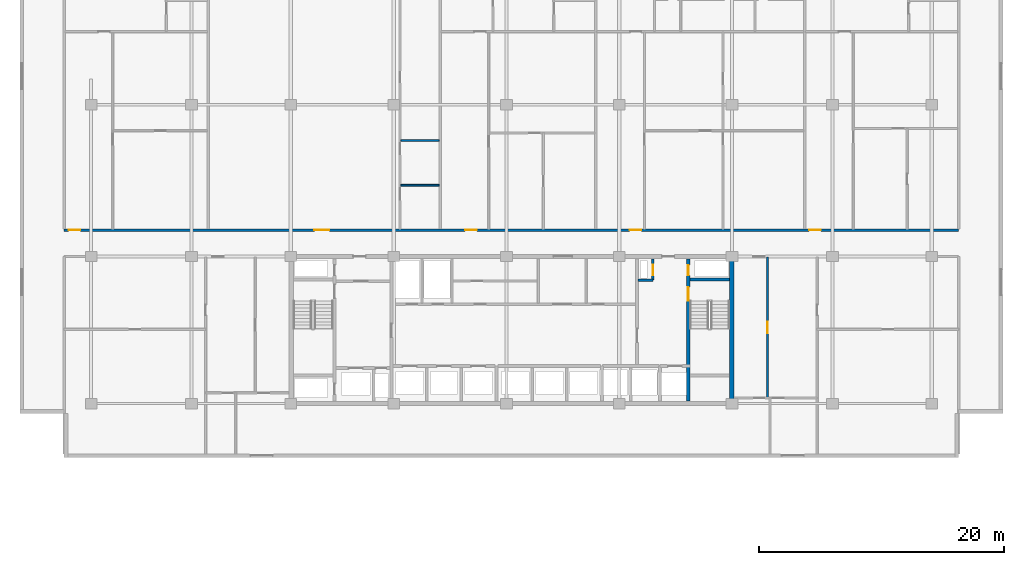
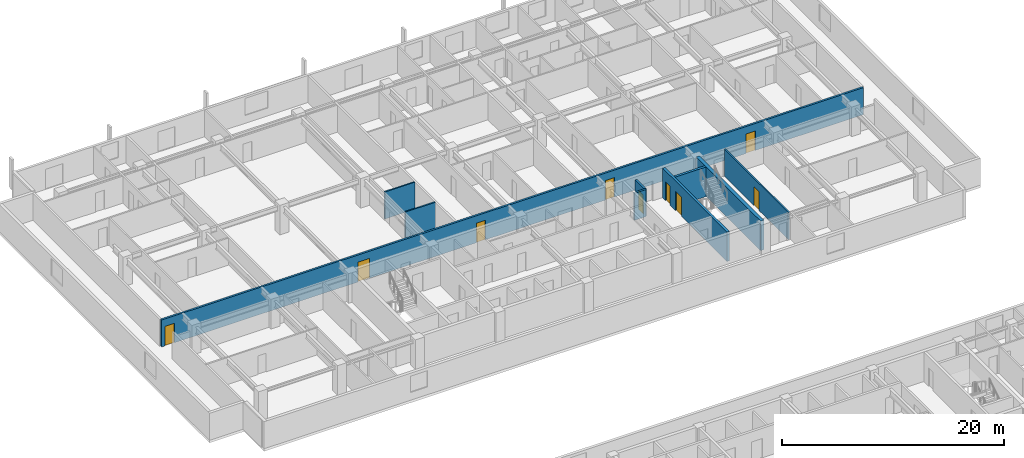
# One storey, part 13 of 22: 9 doors, 9 walls, 9 openings.
"""IFC4 building model written with IfcOpenShell, lengths in metres."""

from ifc_helpers import new_model, si_unit, direction, frame, frame_2d, origin, place, context, subcontext, project, spatial, rectangle, extrude, material, layer, layer_set, type_object, element, fill, save


model = new_model("IFC4")

# Units and contexts
model_context = context("Model", 3, precision=1e-05, world=origin(), true_north=direction((0.0, 1.0)))
body_context = subcontext(model_context, "Body", "Model", "MODEL_VIEW")
ifc_project = project(units=[si_unit("LENGTHUNIT", "METRE"), si_unit("AREAUNIT", "SQUARE_METRE"), si_unit("VOLUMEUNIT", "CUBIC_METRE"), si_unit("PLANEANGLEUNIT", "RADIAN"), si_unit("MASSUNIT", "GRAM", prefix="KILO")], contexts=[model_context])

# Site, building, storey
site_placement = place(None, origin())
site = spatial("IfcSite", under=ifc_project, at=site_placement, CompositionType="ELEMENT")
building_placement = place(site_placement, origin())
building = spatial("IfcBuilding", under=site, at=building_placement, Name="Korimba Cascade Residences", CompositionType="ELEMENT")
storey_placement = place(building_placement, frame((0.0, 0.0, 84.050048828125)))
storey = spatial("IfcBuildingStorey", under=building, at=storey_placement, Name="L23", CompositionType="ELEMENT", Elevation=84.050048828125)

# Wall
ifc_material_1 = material(Name="Concrete C65/80", Category="concrete")
ifc_layer_1 = layer(ifc_material_1, 0.35009765625)
ifc_layer_set_1 = layer_set([ifc_layer_1], Name="Concrete C65/80")
wall_type_1 = type_object("IfcWallType", Name="WAL-CORE-350", PredefinedType="SHEAR", material=ifc_layer_set_1)
wall_1_placement = place(storey_placement, frame((112.074951171875, 55.375, 0.0), z_axis=(0.0, 0.0, 1.0), x_axis=(0.0, 1.0, 0.0)))
element("IfcWall", 1, at=wall_1_placement, inside=storey, type_object=wall_type_1, Name="L23 Core Shear Wall CW-L23-T1-E", PredefinedType="SHEAR", context=body_context, shape_type="SweptSolid", body=[
    extrude(rectangle(XDim=11.64990234375, YDim=0.35009765625, at=frame_2d((5.824951171875, 0.0))), origin(), (0.0, 0.0, 1.0), 3.25),
])

# Wall, openings, doors
ifc_material_2 = material(Name="Precast concrete C40/50", Category="concrete")
ifc_layer_2 = layer(ifc_material_2, 0.199951171875)
ifc_layer_set_2 = layer_set([ifc_layer_2], Name="Precast concrete C40/50")
wall_type_2 = type_object("IfcWallType", Name="WAL-IT-200", PredefinedType="PARTITIONING", material=ifc_layer_set_2)
wall_2_placement = place(storey_placement, frame((57.60009765625, 69.35009765625, 0.0), z_axis=(0.0, 0.0, 1.0), x_axis=(1.0, 0.0, 0.0)))
wall_2 = element("IfcWall", 2, at=wall_2_placement, inside=storey, type_object=wall_type_2, Name="L23 Partition Wall WAL-L23-T1-CORN", PredefinedType="PARTITIONING", context=body_context, shape_type="SweptSolid", body=[
    extrude(rectangle(XDim=73.0, YDim=0.199951171875, at=frame_2d((36.5, 0.0))), origin(), (0.0, 0.0, 1.0), 2.969970703125),
])
opening_1_placement = place(wall_2_placement, frame((0.3701171875, 0.0, 0.0)))
opening_1 = element("IfcOpeningElement", 3, at=opening_1_placement, cuts=wall_2, Name="Opening D-UN1", PredefinedType="OPENING", context=body_context, shape_type="SweptSolid", body=[
    extrude(rectangle(XDim=0.949951171875, YDim=2.14990234375, at=frame_2d((0.47509765625, 1.074951171875))), frame((0.0, 0.10986328125, 0.0), z_axis=(0.0, -1.0, 0.0), x_axis=(1.0, 0.0, 0.0)), (0.0, 0.0, 1.0), 0.219970703125),
])
opening_2_placement = place(wall_2_placement, frame((20.42138671875, 0.0, 0.0)))
opening_2 = element("IfcOpeningElement", 4, at=opening_2_placement, cuts=wall_2, Name="Opening D-AM1", PredefinedType="OPENING", context=body_context, shape_type="SweptSolid", body=[
    extrude(rectangle(XDim=1.219970703125, YDim=2.179931640625, at=frame_2d((0.60986328125, 1.08984375))), frame((0.0, 0.10986328125, 0.0), z_axis=(0.0, -1.0, 0.0), x_axis=(1.0, 0.0, 0.0)), (0.0, 0.0, 1.0), 0.219970703125),
])
opening_3_placement = place(wall_2_placement, frame((32.7294921875, 0.0, 0.0)))
opening_3 = element("IfcOpeningElement", 5, at=opening_3_placement, cuts=wall_2, Name="Opening D-UN1", PredefinedType="OPENING", context=body_context, shape_type="SweptSolid", body=[
    extrude(rectangle(XDim=0.949951171875, YDim=2.14990234375, at=frame_2d((0.47509765625, 1.074951171875))), frame((0.0, 0.10986328125, 0.0), z_axis=(0.0, -1.0, 0.0), x_axis=(1.0, 0.0, 0.0)), (0.0, 0.0, 1.0), 0.219970703125),
])
opening_4_placement = place(wall_2_placement, frame((46.1572265625, 0.0, 0.0)))
opening_4 = element("IfcOpeningElement", 6, at=opening_4_placement, cuts=wall_2, Name="Opening D-UN1", PredefinedType="OPENING", context=body_context, shape_type="SweptSolid", body=[
    extrude(rectangle(XDim=0.949951171875, YDim=2.14990234375, at=frame_2d((0.47509765625, 1.074951171875))), frame((0.0, 0.10986328125, 0.0), z_axis=(0.0, -1.0, 0.0), x_axis=(1.0, 0.0, 0.0)), (0.0, 0.0, 1.0), 0.219970703125),
])
opening_5_placement = place(wall_2_placement, frame((60.803466796875, 0.0, 0.0)))
opening_5 = element("IfcOpeningElement", 7, at=opening_5_placement, cuts=wall_2, Name="Opening D-UN1", PredefinedType="OPENING", context=body_context, shape_type="SweptSolid", body=[
    extrude(rectangle(XDim=0.949951171875, YDim=2.14990234375, at=frame_2d((0.47509765625, 1.074951171875))), frame((0.0, 0.10986328125, 0.0), z_axis=(0.0, -1.0, 0.0), x_axis=(1.0, 0.0, 0.0)), (0.0, 0.0, 1.0), 0.219970703125),
])
ifc_material_3 = material(Name="Fire-Rated Glazed Timber Suite Door", Category="wood")
door_type_1 = type_object("IfcDoorType", Name="DR-FD60-1200", OperationType="NOTDEFINED", PredefinedType="DOOR", material=ifc_material_3)
door_1_placement = place(opening_2_placement, origin())
door_1 = element("IfcDoor", 8, at=door_1_placement, inside=storey, type_object=door_type_1, Name="L23-T1-U02 Promenade Design Showroom Door", OperationType="SINGLE_SWING_LEFT", OverallHeight=2.179931640625, OverallWidth=1.219970703125, PredefinedType="DOOR", context=body_context, shape_type="SweptSolid", body=[
    extrude(rectangle(XDim=1.219970703125, YDim=2.179931640625, at=frame_2d((0.60986328125, 1.08984375))), frame((0.0, 0.02490234375, 0.0), z_axis=(0.0, -1.0, 0.0), x_axis=(1.0, 0.0, 0.0)), (0.0, 0.0, 1.0), 0.050048828125),
])
fill(opening_2, door_1)
ifc_material_4 = material(Name="Fire-Rated Hardwood Apartment Entrance Door", Category="wood")
door_type_2 = type_object("IfcDoorType", Name="DR-FD60-950", OperationType="NOTDEFINED", PredefinedType="DOOR", material=ifc_material_4)
door_2_placement = place(opening_1_placement, origin())
door_2 = element("IfcDoor", 9, at=door_2_placement, inside=storey, type_object=door_type_2, Name="Unit L23-T1-U01 Entrance Door", OperationType="SINGLE_SWING_RIGHT", OverallHeight=2.14990234375, OverallWidth=0.949951171875, PredefinedType="DOOR", context=body_context, shape_type="SweptSolid", body=[
    extrude(rectangle(XDim=0.949951171875, YDim=2.14990234375, at=frame_2d((0.47509765625, 1.074951171875))), frame((0.0, 0.02490234375, 0.0), z_axis=(0.0, -1.0, 0.0), x_axis=(1.0, 0.0, 0.0)), (0.0, 0.0, 1.0), 0.050048828125),
])
fill(opening_1, door_2)
door_3_placement = place(opening_3_placement, origin())
door_3 = element("IfcDoor", 10, at=door_3_placement, inside=storey, type_object=door_type_2, Name="Unit L23-T1-U03 Entrance Door", OperationType="SINGLE_SWING_RIGHT", OverallHeight=2.14990234375, OverallWidth=0.949951171875, PredefinedType="DOOR", context=body_context, shape_type="SweptSolid", body=[
    extrude(rectangle(XDim=0.949951171875, YDim=2.14990234375, at=frame_2d((0.47509765625, 1.074951171875))), frame((0.0, 0.02490234375, 0.0), z_axis=(0.0, -1.0, 0.0), x_axis=(1.0, 0.0, 0.0)), (0.0, 0.0, 1.0), 0.050048828125),
])
fill(opening_3, door_3)
door_4_placement = place(opening_4_placement, origin())
door_4 = element("IfcDoor", 11, at=door_4_placement, inside=storey, type_object=door_type_2, Name="Unit L23-T1-U04 Entrance Door", OperationType="SINGLE_SWING_LEFT", OverallHeight=2.14990234375, OverallWidth=0.949951171875, PredefinedType="DOOR", context=body_context, shape_type="SweptSolid", body=[
    extrude(rectangle(XDim=0.949951171875, YDim=2.14990234375, at=frame_2d((0.47509765625, 1.074951171875))), frame((0.0, 0.02490234375, 0.0), z_axis=(0.0, -1.0, 0.0), x_axis=(1.0, 0.0, 0.0)), (0.0, 0.0, 1.0), 0.050048828125),
])
fill(opening_4, door_4)
door_5_placement = place(opening_5_placement, origin())
door_5 = element("IfcDoor", 12, at=door_5_placement, inside=storey, type_object=door_type_2, Name="Unit L23-T1-U05 Entrance Door", OperationType="SINGLE_SWING_RIGHT", OverallHeight=2.14990234375, OverallWidth=0.949951171875, PredefinedType="DOOR", context=body_context, shape_type="SweptSolid", body=[
    extrude(rectangle(XDim=0.949951171875, YDim=2.14990234375, at=frame_2d((0.47509765625, 1.074951171875))), frame((0.0, 0.02490234375, 0.0), z_axis=(0.0, -1.0, 0.0), x_axis=(1.0, 0.0, 0.0)), (0.0, 0.0, 1.0), 0.050048828125),
])
fill(opening_5, door_5)

# Wall, opening, door
ifc_material_5 = material(Name="Insulated Acoustic Stud Partition", Category="gypsum")
ifc_layer_3 = layer(ifc_material_5, 0.14990234375)
ifc_layer_set_3 = layer_set([ifc_layer_3], Name="Insulated Acoustic Stud Partition")
wall_type_3 = type_object("IfcWallType", Name="WAL-PART-150", PredefinedType="PARTITIONING", material=ifc_layer_set_3)
wall_3_placement = place(storey_placement, frame((115.0, 55.64990234375, 0.0), z_axis=(0.0, 0.0, 1.0), x_axis=(0.0, 1.0, 0.0)))
wall_3 = element("IfcWall", 13, at=wall_3_placement, inside=storey, type_object=wall_type_3, Name="L23 Partition Wall WAL-L23-T1-FE-VN", PredefinedType="PARTITIONING", context=body_context, shape_type="SweptSolid", body=[
    extrude(rectangle(XDim=11.5, YDim=0.14990234375, at=frame_2d((5.75, 0.0))), origin(), (0.0, 0.0, 1.0), 2.969970703125),
])
opening_6_placement = place(wall_3_placement, frame((5.2900390625, 0.0, 0.0)))
opening_6 = element("IfcOpeningElement", 14, at=opening_6_placement, cuts=wall_3, Name="Opening D-IN1", PredefinedType="OPENING", context=body_context, shape_type="SweptSolid", body=[
    extrude(rectangle(XDim=0.919921875, YDim=2.080078125, at=frame_2d((0.4599609375, 1.0400390625))), frame((0.0, 0.0849609375, 0.0), z_axis=(0.0, -1.0, 0.0), x_axis=(1.0, 0.0, 0.0)), (0.0, 0.0, 1.0), 0.169921875),
])
ifc_material_6 = material(Name="Acoustic Timber Living Door", Category="wood")
door_type_3 = type_object("IfcDoorType", Name="DR-INT-920", OperationType="NOTDEFINED", PredefinedType="DOOR", material=ifc_material_6)
door_6_placement = place(opening_6_placement, origin())
door_6 = element("IfcDoor", 15, at=door_6_placement, inside=storey, type_object=door_type_3, Name="L23-T1-FE Living Door", OperationType="SINGLE_SWING_RIGHT", OverallHeight=2.080078125, OverallWidth=0.919921875, PredefinedType="DOOR", context=body_context, shape_type="SweptSolid", body=[
    extrude(rectangle(XDim=0.919921875, YDim=2.080078125, at=frame_2d((0.4599609375, 1.0400390625))), frame((0.0, 0.02490234375, 0.0), z_axis=(0.0, -1.0, 0.0), x_axis=(1.0, 0.0, 0.0)), (0.0, 0.0, 1.0), 0.050048828125),
])
fill(opening_6, door_6)

# Walls
for number, where, z_axis, x_axis, name in (
    (16, (85.07470703125, 73.02001953125, 0.0), (0.0, 0.0, 1.0), (1.0, 0.0, 0.0), "L23 Partition Wall WAL-L23-T1-U02-WCH"),
    (17, (85.07470703125, 76.669921875, 0.0), (0.0, 0.0, 1.0), (1.0, 0.0, 0.0), "L23 Partition Wall WAL-L23-T1-U02-WCH2"),
):
    element("IfcWall", number, at=place(storey_placement, frame(where, z_axis=z_axis, x_axis=x_axis)), inside=storey, type_object=wall_type_3, Name=name, PredefinedType="PARTITIONING", context=body_context, shape_type="SweptSolid", body=[
        extrude(rectangle(XDim=3.1298828125, YDim=0.14990234375, at=frame_2d((1.56494140625, 0.0))), origin(), (0.0, 0.0, 1.0), 2.969970703125),
    ])
ifc_material_7 = material(Name="Concrete C40/50", Category="concrete")
ifc_layer_4 = layer(ifc_material_7, 0.199951171875)
ifc_layer_set_4 = layer_set([ifc_layer_4], Name="Concrete C40/50")
wall_type_4 = type_object("IfcWallType", Name="WAL-PART-200", PredefinedType="PARTITIONING", material=ifc_layer_set_4)
wall_4_placement = place(storey_placement, frame((104.449951171875, 65.280029296875, 0.0), z_axis=(0.0, 0.0, 1.0), x_axis=(1.0, 0.0, 0.0)))
element("IfcWall", 18, at=wall_4_placement, inside=storey, type_object=wall_type_4, Name="L23 Partition Wall CW-L23-T1-HYDW2S", PredefinedType="PARTITIONING", context=body_context, shape_type="SweptSolid", body=[
    extrude(rectangle(XDim=1.199951171875, YDim=0.199951171875, at=frame_2d((0.60009765625, 0.0))), origin(), (0.0, 0.0, 1.0), 2.969970703125),
])

# Wall, opening, door
wall_5_placement = place(storey_placement, frame((105.64990234375, 65.280029296875, 0.0), z_axis=(0.0, 0.0, 1.0), x_axis=(0.0, 1.0, 0.0)))
wall_5 = element("IfcWall", 19, at=wall_5_placement, inside=storey, type_object=wall_type_4, Name="L23 Partition Wall CW-L23-T1-HYDW2E", PredefinedType="PARTITIONING", context=body_context, shape_type="SweptSolid", body=[
    extrude(rectangle(XDim=1.719970703125, YDim=0.199951171875, at=frame_2d((0.85986328125, 0.0))), origin(), (0.0, 0.0, 1.0), 2.969970703125),
])
opening_7_placement = place(wall_5_placement, frame((0.39990234375, 0.0, 0.0)))
opening_7 = element("IfcOpeningElement", 20, at=opening_7_placement, cuts=wall_5, Name="Opening D-RS1", PredefinedType="OPENING", context=body_context, shape_type="SweptSolid", body=[
    extrude(rectangle(XDim=0.85009765625, YDim=2.050048828125, at=frame_2d((0.425048828125, 1.02490234375))), frame((0.0, 0.10986328125, 0.0), z_axis=(0.0, -1.0, 0.0), x_axis=(1.0, 0.0, 0.0)), (0.0, 0.0, 1.0), 0.219970703125),
])
ifc_material_8 = material(Name="Fire-Rated Steel Riser Access Door", Category="steel")
door_type_4 = type_object("IfcDoorType", Name="DR-FD60-850", OperationType="NOTDEFINED", PredefinedType="DOOR", material=ifc_material_8)
door_7_placement = place(opening_7_placement, origin())
door_7 = element("IfcDoor", 21, at=door_7_placement, inside=storey, type_object=door_type_4, Name="L23 East Hydrant Door", OperationType="SINGLE_SWING_RIGHT", OverallHeight=2.050048828125, OverallWidth=0.85009765625, PredefinedType="DOOR", context=body_context, shape_type="SweptSolid", body=[
    extrude(rectangle(XDim=0.85009765625, YDim=2.050048828125, at=frame_2d((0.425048828125, 1.02490234375))), frame((0.0, 0.02490234375, 0.0), z_axis=(0.0, -1.0, 0.0), x_axis=(1.0, 0.0, 0.0)), (0.0, 0.0, 1.0), 0.050048828125),
])
fill(opening_7, door_7)

# Wall, openings, doors
ifc_material_9 = material(Name="Concrete C50/60", Category="concrete")
ifc_layer_5 = layer(ifc_material_9, 0.25)
ifc_layer_set_5 = layer_set([ifc_layer_5], Name="Concrete C50/60")
wall_type_5 = type_object("IfcWallType", Name="WAL-SHAFT-250", PredefinedType="SHEAR", material=ifc_layer_set_5)
wall_6_placement = place(storey_placement, frame((108.534912109375, 55.39990234375, 0.0), z_axis=(0.0, 0.0, 1.0), x_axis=(0.0, 1.0, 0.0)))
wall_6 = element("IfcWall", 22, at=wall_6_placement, inside=storey, type_object=wall_type_5, Name="L23 Core Shear Wall CW-L23-T1-STW2W", PredefinedType="SHEAR", context=body_context, shape_type="SweptSolid", body=[
    extrude(rectangle(XDim=11.60009765625, YDim=0.25, at=frame_2d((5.800048828125, 0.0))), origin(), (0.0, 0.0, 1.0), 3.25),
])
opening_8_placement = place(wall_6_placement, frame((8.199951171875, 0.0, 0.0)))
opening_8 = element("IfcOpeningElement", 23, at=opening_8_placement, cuts=wall_6, Name="Opening D-FD1", PredefinedType="OPENING", context=body_context, shape_type="SweptSolid", body=[
    extrude(rectangle(XDim=1.10009765625, YDim=2.10009765625, at=frame_2d((0.550048828125, 1.050048828125))), frame((0.0, 0.135009765625, 0.0), z_axis=(0.0, -1.0, 0.0), x_axis=(1.0, 0.0, 0.0)), (0.0, 0.0, 1.0), 0.27001953125),
])
opening_9_placement = place(wall_6_placement, frame((10.25, 0.0, 0.0)))
opening_9 = element("IfcOpeningElement", 24, at=opening_9_placement, cuts=wall_6, Name="Opening D-RS1", PredefinedType="OPENING", context=body_context, shape_type="SweptSolid", body=[
    extrude(rectangle(XDim=0.85009765625, YDim=2.050048828125, at=frame_2d((0.425048828125, 1.02490234375))), frame((0.0, 0.135009765625, 0.0), z_axis=(0.0, -1.0, 0.0), x_axis=(1.0, 0.0, 0.0)), (0.0, 0.0, 1.0), 0.27001953125),
])
ifc_material_10 = material(Name="Fire-Rated Steel Core Door", Category="steel")
door_type_5 = type_object("IfcDoorType", Name="DR-FD120-1100", OperationType="NOTDEFINED", PredefinedType="DOOR", material=ifc_material_10)
door_8_placement = place(opening_8_placement, origin())
door_8 = element("IfcDoor", 25, at=door_8_placement, inside=storey, type_object=door_type_5, Name="L23 Fire Stair ST-W2 Door", OperationType="SINGLE_SWING_RIGHT", OverallHeight=2.10009765625, OverallWidth=1.10009765625, PredefinedType="DOOR", context=body_context, shape_type="SweptSolid", body=[
    extrude(rectangle(XDim=1.10009765625, YDim=2.10009765625, at=frame_2d((0.550048828125, 1.050048828125))), frame((0.0, 0.02490234375, 0.0), z_axis=(0.0, -1.0, 0.0), x_axis=(1.0, 0.0, 0.0)), (0.0, 0.0, 1.0), 0.050048828125),
])
fill(opening_8, door_8)
door_9_placement = place(opening_9_placement, origin())
door_9 = element("IfcDoor", 26, at=door_9_placement, inside=storey, type_object=door_type_4, Name="L23 East Riser Door", OperationType="SINGLE_SWING_LEFT", OverallHeight=2.050048828125, OverallWidth=0.85009765625, PredefinedType="DOOR", context=body_context, shape_type="SweptSolid", body=[
    extrude(rectangle(XDim=0.85009765625, YDim=2.050048828125, at=frame_2d((0.425048828125, 1.02490234375))), frame((0.0, 0.02490234375, 0.0), z_axis=(0.0, -1.0, 0.0), x_axis=(1.0, 0.0, 0.0)), (0.0, 0.0, 1.0), 0.050048828125),
])
fill(opening_9, door_9)

# Wall
wall_7_placement = place(storey_placement, frame((108.659912109375, 65.324951171875, 0.0), z_axis=(0.0, 0.0, 1.0), x_axis=(1.0, 0.0, 0.0)))
element("IfcWall", 27, at=wall_7_placement, inside=storey, type_object=wall_type_5, Name="L23 Core Shear Wall CW-L23-T1-STW2N", PredefinedType="SHEAR", context=body_context, shape_type="SweptSolid", body=[
    extrude(rectangle(XDim=3.239990234375, YDim=0.25, at=frame_2d((1.6201171875, 0.0))), origin(), (0.0, 0.0, 1.0), 3.25),
])

save(model, "model.ifc")
